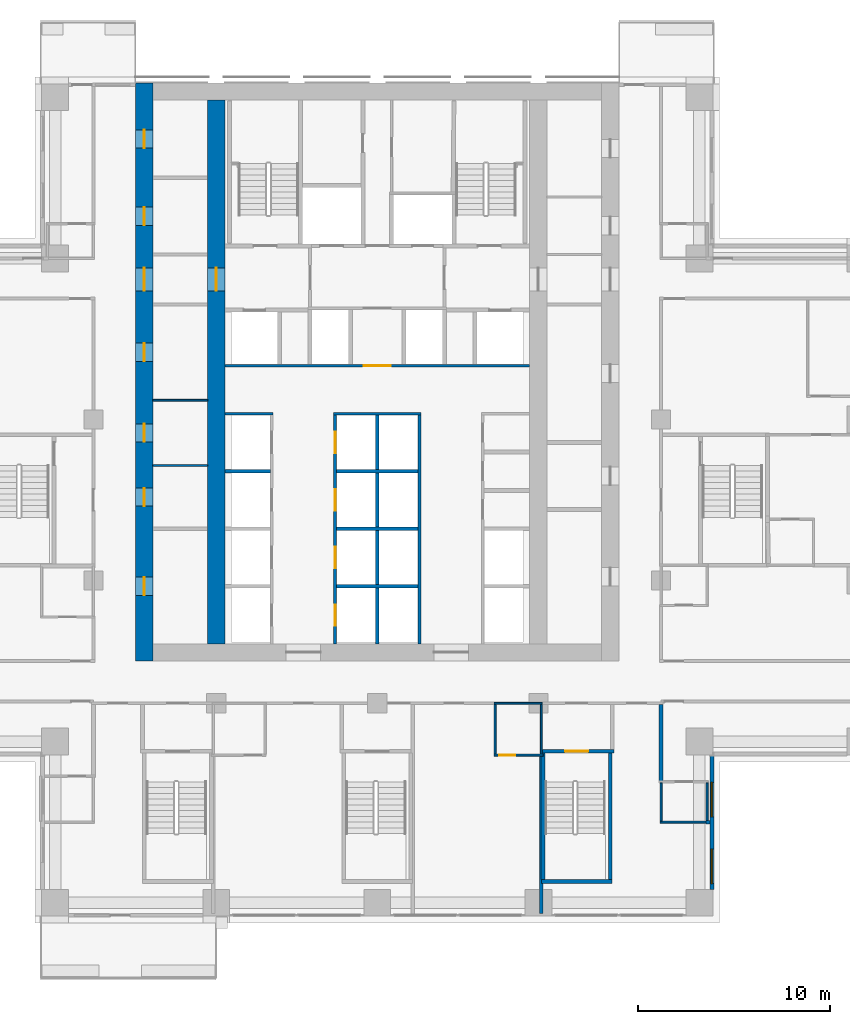
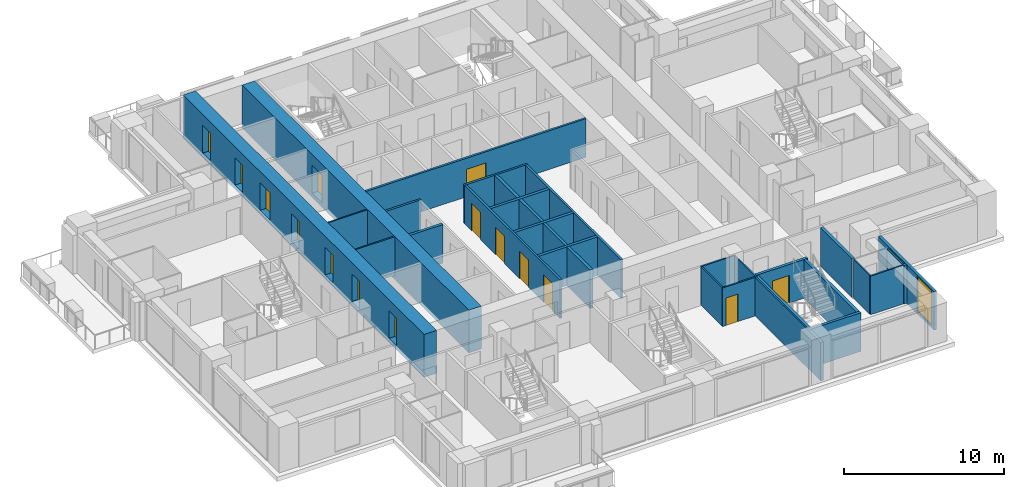
# One storey, part 8 of 16: 29 walls, 15 doors, 2 windows, 17 openings.
"""IFC4 building model written with IfcOpenShell, lengths in metres."""

from ifc_helpers import new_model, si_unit, direction, frame, frame_2d, origin, place, context, subcontext, project, spatial, rectangle, extrude, material, layer, layer_set, type_object, element, fill, save


model = new_model("IFC4")

# Units and contexts
model_context = context("Model", 3, precision=1e-05, world=origin(), true_north=direction((0.0, 1.0)))
body_context = subcontext(model_context, "Body", "Model", "MODEL_VIEW")
ifc_project = project(units=[si_unit("LENGTHUNIT", "METRE"), si_unit("AREAUNIT", "SQUARE_METRE"), si_unit("VOLUMEUNIT", "CUBIC_METRE"), si_unit("PLANEANGLEUNIT", "RADIAN"), si_unit("MASSUNIT", "GRAM", prefix="KILO")], contexts=[model_context])

# Site, building, storey
site_placement = place(None, origin())
site = spatial("IfcSite", under=ifc_project, at=site_placement, CompositionType="ELEMENT")
building_placement = place(site_placement, origin())
building = spatial("IfcBuilding", under=site, at=building_placement, Name="Vermilion Ogive Tower", CompositionType="ELEMENT")
storey_placement = place(building_placement, frame((0.0, 0.0, 72.449951171875)))
storey = spatial("IfcBuildingStorey", under=building, at=storey_placement, Name="L17", CompositionType="ELEMENT", Elevation=72.449951171875)

# Wall, openings, doors
ifc_material_1 = material(Name="Concrete B80", Category="concrete")
ifc_layer_1 = layer(ifc_material_1, 0.89990234375)
ifc_layer_set_1 = layer_set([ifc_layer_1], Name="Core wall 900 B80")
wall_type_1 = type_object("IfcWallType", Name="Core wall 900 B80", PredefinedType="SHEAR", material=ifc_layer_set_1)
wall_1_placement = place(storey_placement, frame((-12.14990234375, -8.39990234375, -0.320068359375), z_axis=(0.0, 0.0, 1.0), x_axis=(0.0, 1.0, 0.0)))
wall_1 = element("IfcWall", 1, at=wall_1_placement, inside=storey, type_object=wall_type_1, Name="L17-CORE-W", PredefinedType="SHEAR", context=body_context, shape_type="SweptSolid", body=[
    extrude(rectangle(XDim=30.14990234375, YDim=0.89990234375, at=frame_2d((15.074951171875, 0.0))), origin(), (0.0, 0.0, 1.0), 3.27001953125),
])
opening_1_placement = place(wall_1_placement, frame((3.425048828125, 0.0, 0.320068359375)))
opening_1 = element("IfcOpeningElement", 2, at=opening_1_placement, cuts=wall_1, Name="Opening DAD028", PredefinedType="OPENING", context=body_context, shape_type="SweptSolid", body=[
    extrude(rectangle(XDim=0.949951171875, YDim=2.10009765625, at=frame_2d((0.47509765625, 1.050048828125))), frame((0.0, 0.4599609375, 0.0), z_axis=(0.0, -1.0, 0.0), x_axis=(1.0, 0.0, 0.0)), (0.0, 0.0, 1.0), 0.919921875),
])
opening_2_placement = place(wall_1_placement, frame((8.074951171875, 0.0, 0.320068359375)))
opening_2 = element("IfcOpeningElement", 3, at=opening_2_placement, cuts=wall_1, Name="Opening DAD029", PredefinedType="OPENING", context=body_context, shape_type="SweptSolid", body=[
    extrude(rectangle(XDim=0.949951171875, YDim=2.10009765625, at=frame_2d((0.47509765625, 1.050048828125))), frame((0.0, 0.4599609375, 0.0), z_axis=(0.0, -1.0, 0.0), x_axis=(1.0, 0.0, 0.0)), (0.0, 0.0, 1.0), 0.919921875),
])
opening_3_placement = place(wall_1_placement, frame((11.425048828125, 0.0, 0.320068359375)))
opening_3 = element("IfcOpeningElement", 4, at=opening_3_placement, cuts=wall_1, Name="Opening DAD030", PredefinedType="OPENING", context=body_context, shape_type="SweptSolid", body=[
    extrude(rectangle(XDim=0.949951171875, YDim=2.10009765625, at=frame_2d((0.47509765625, 1.050048828125))), frame((0.0, 0.4599609375, 0.0), z_axis=(0.0, -1.0, 0.0), x_axis=(1.0, 0.0, 0.0)), (0.0, 0.0, 1.0), 0.919921875),
])
opening_4_placement = place(wall_1_placement, frame((15.625, 0.0, 0.320068359375)))
opening_4 = element("IfcOpeningElement", 5, at=opening_4_placement, cuts=wall_1, Name="Opening DAD031", PredefinedType="OPENING", context=body_context, shape_type="SweptSolid", body=[
    extrude(rectangle(XDim=0.949951171875, YDim=2.10009765625, at=frame_2d((0.47509765625, 1.050048828125))), frame((0.0, 0.4599609375, 0.0), z_axis=(0.0, -1.0, 0.0), x_axis=(1.0, 0.0, 0.0)), (0.0, 0.0, 1.0), 0.919921875),
])
opening_5_placement = place(wall_1_placement, frame((22.72509765625, 0.0, 0.320068359375)))
opening_5 = element("IfcOpeningElement", 6, at=opening_5_placement, cuts=wall_1, Name="Opening DAD032", PredefinedType="OPENING", context=body_context, shape_type="SweptSolid", body=[
    extrude(rectangle(XDim=0.949951171875, YDim=2.10009765625, at=frame_2d((0.47509765625, 1.050048828125))), frame((0.0, 0.4599609375, 0.0), z_axis=(0.0, -1.0, 0.0), x_axis=(1.0, 0.0, 0.0)), (0.0, 0.0, 1.0), 0.919921875),
])
opening_6_placement = place(wall_1_placement, frame((26.75, 0.0, 0.320068359375)))
opening_6 = element("IfcOpeningElement", 7, at=opening_6_placement, cuts=wall_1, Name="Opening DAD033", PredefinedType="OPENING", context=body_context, shape_type="SweptSolid", body=[
    extrude(rectangle(XDim=0.949951171875, YDim=2.10009765625, at=frame_2d((0.47509765625, 1.050048828125))), frame((0.0, 0.4599609375, 0.0), z_axis=(0.0, -1.0, 0.0), x_axis=(1.0, 0.0, 0.0)), (0.0, 0.0, 1.0), 0.919921875),
])
opening_7_placement = place(wall_1_placement, frame((19.300048828125, 0.0, 0.320068359375)))
opening_7 = element("IfcOpeningElement", 8, at=opening_7_placement, cuts=wall_1, Name="Opening DAM006", PredefinedType="OPENING", context=body_context, shape_type="SweptSolid", body=[
    extrude(rectangle(XDim=1.199951171875, YDim=2.10009765625, at=frame_2d((0.60009765625, 1.050048828125))), frame((0.0, 0.4599609375, 0.0), z_axis=(0.0, -1.0, 0.0), x_axis=(1.0, 0.0, 0.0)), (0.0, 0.0, 1.0), 0.919921875),
])
ifc_material_2 = material(Name="Timber door leaf", Category="wood")
door_type_1 = type_object("IfcDoorType", Name="Link door 1200 x 2100 FD60S", OperationType="SINGLE_SWING_LEFT", PredefinedType="DOOR", material=ifc_material_2)
door_1_placement = place(opening_7_placement, origin())
door_1 = element("IfcDoor", 9, at=door_1_placement, inside=storey, type_object=door_type_1, Name="L17-CKW-XL", OperationType="SINGLE_SWING_LEFT", OverallHeight=2.10009765625, OverallWidth=1.199951171875, PredefinedType="DOOR", context=body_context, shape_type="SweptSolid", body=[
    extrude(rectangle(XDim=1.199951171875, YDim=2.10009765625, at=frame_2d((0.60009765625, 1.050048828125))), frame((0.0, 0.02490234375, 0.0), z_axis=(0.0, -1.0, 0.0), x_axis=(1.0, 0.0, 0.0)), (0.0, 0.0, 1.0), 0.050048828125),
])
fill(opening_7, door_1)
ifc_material_3 = material(Name="Timber door leaf", Category="wood")
door_type_2 = type_object("IfcDoorType", Name="Service door 950 x 2100 FD60", OperationType="SINGLE_SWING_LEFT", PredefinedType="DOOR", material=ifc_material_3)
door_2_placement = place(opening_1_placement, origin())
door_2 = element("IfcDoor", 10, at=door_2_placement, inside=storey, type_object=door_type_2, Name="L17-CKW-XR0", OperationType="SINGLE_SWING_LEFT", OverallHeight=2.10009765625, OverallWidth=0.949951171875, PredefinedType="DOOR", context=body_context, shape_type="SweptSolid", body=[
    extrude(rectangle(XDim=0.949951171875, YDim=2.10009765625, at=frame_2d((0.47509765625, 1.050048828125))), frame((0.0, 0.02490234375, 0.0), z_axis=(0.0, -1.0, 0.0), x_axis=(1.0, 0.0, 0.0)), (0.0, 0.0, 1.0), 0.050048828125),
])
fill(opening_1, door_2)
door_3_placement = place(opening_2_placement, origin())
door_3 = element("IfcDoor", 11, at=door_3_placement, inside=storey, type_object=door_type_2, Name="L17-CKW-XR1", OperationType="SINGLE_SWING_LEFT", OverallHeight=2.10009765625, OverallWidth=0.949951171875, PredefinedType="DOOR", context=body_context, shape_type="SweptSolid", body=[
    extrude(rectangle(XDim=0.949951171875, YDim=2.10009765625, at=frame_2d((0.47509765625, 1.050048828125))), frame((0.0, 0.02490234375, 0.0), z_axis=(0.0, -1.0, 0.0), x_axis=(1.0, 0.0, 0.0)), (0.0, 0.0, 1.0), 0.050048828125),
])
fill(opening_2, door_3)
door_4_placement = place(opening_3_placement, origin())
door_4 = element("IfcDoor", 12, at=door_4_placement, inside=storey, type_object=door_type_2, Name="L17-CKW-XR2", OperationType="SINGLE_SWING_LEFT", OverallHeight=2.10009765625, OverallWidth=0.949951171875, PredefinedType="DOOR", context=body_context, shape_type="SweptSolid", body=[
    extrude(rectangle(XDim=0.949951171875, YDim=2.10009765625, at=frame_2d((0.47509765625, 1.050048828125))), frame((0.0, 0.02490234375, 0.0), z_axis=(0.0, -1.0, 0.0), x_axis=(1.0, 0.0, 0.0)), (0.0, 0.0, 1.0), 0.050048828125),
])
fill(opening_3, door_4)
door_5_placement = place(opening_4_placement, origin())
door_5 = element("IfcDoor", 13, at=door_5_placement, inside=storey, type_object=door_type_2, Name="L17-CKW-XR3", OperationType="SINGLE_SWING_LEFT", OverallHeight=2.10009765625, OverallWidth=0.949951171875, PredefinedType="DOOR", context=body_context, shape_type="SweptSolid", body=[
    extrude(rectangle(XDim=0.949951171875, YDim=2.10009765625, at=frame_2d((0.47509765625, 1.050048828125))), frame((0.0, 0.02490234375, 0.0), z_axis=(0.0, -1.0, 0.0), x_axis=(1.0, 0.0, 0.0)), (0.0, 0.0, 1.0), 0.050048828125),
])
fill(opening_4, door_5)
door_6_placement = place(opening_5_placement, origin())
door_6 = element("IfcDoor", 14, at=door_6_placement, inside=storey, type_object=door_type_2, Name="L17-CKW-XR4", OperationType="SINGLE_SWING_LEFT", OverallHeight=2.10009765625, OverallWidth=0.949951171875, PredefinedType="DOOR", context=body_context, shape_type="SweptSolid", body=[
    extrude(rectangle(XDim=0.949951171875, YDim=2.10009765625, at=frame_2d((0.47509765625, 1.050048828125))), frame((0.0, 0.02490234375, 0.0), z_axis=(0.0, -1.0, 0.0), x_axis=(1.0, 0.0, 0.0)), (0.0, 0.0, 1.0), 0.050048828125),
])
fill(opening_5, door_6)
door_7_placement = place(opening_6_placement, origin())
door_7 = element("IfcDoor", 15, at=door_7_placement, inside=storey, type_object=door_type_2, Name="L17-CKW-XR5", OperationType="SINGLE_SWING_LEFT", OverallHeight=2.10009765625, OverallWidth=0.949951171875, PredefinedType="DOOR", context=body_context, shape_type="SweptSolid", body=[
    extrude(rectangle(XDim=0.949951171875, YDim=2.10009765625, at=frame_2d((0.47509765625, 1.050048828125))), frame((0.0, 0.02490234375, 0.0), z_axis=(0.0, -1.0, 0.0), x_axis=(1.0, 0.0, 0.0)), (0.0, 0.0, 1.0), 0.050048828125),
])
fill(opening_6, door_7)

# Wall, opening, door
wall_2_placement = place(storey_placement, frame((-8.39990234375, -7.5, -0.320068359375), z_axis=(0.0, 0.0, 1.0), x_axis=(0.0, 1.0, 0.0)))
wall_2 = element("IfcWall", 16, at=wall_2_placement, inside=storey, type_object=wall_type_1, Name="L17-CORE-WEB1", PredefinedType="SHEAR", context=body_context, shape_type="SweptSolid", body=[
    extrude(rectangle(XDim=28.35009765625, YDim=0.89990234375, at=frame_2d((14.175048828125, 0.0))), origin(), (0.0, 0.0, 1.0), 3.27001953125),
])
opening_8_placement = place(wall_2_placement, frame((18.39990234375, 0.0, 0.320068359375)))
opening_8 = element("IfcOpeningElement", 17, at=opening_8_placement, cuts=wall_2, Name="Opening DAP006", PredefinedType="OPENING", context=body_context, shape_type="SweptSolid", body=[
    extrude(rectangle(XDim=1.199951171875, YDim=2.10009765625, at=frame_2d((0.60009765625, 1.050048828125))), frame((0.0, 0.4599609375, 0.0), z_axis=(0.0, -1.0, 0.0), x_axis=(1.0, 0.0, 0.0)), (0.0, 0.0, 1.0), 0.919921875),
])
door_8_placement = place(opening_8_placement, origin())
door_8 = element("IfcDoor", 18, at=door_8_placement, inside=storey, type_object=door_type_1, Name="L17-CKW-XW", OperationType="SINGLE_SWING_LEFT", OverallHeight=2.10009765625, OverallWidth=1.199951171875, PredefinedType="DOOR", context=body_context, shape_type="SweptSolid", body=[
    extrude(rectangle(XDim=1.199951171875, YDim=2.10009765625, at=frame_2d((0.60009765625, 1.050048828125))), frame((0.0, 0.02490234375, 0.0), z_axis=(0.0, -1.0, 0.0), x_axis=(1.0, 0.0, 0.0)), (0.0, 0.0, 1.0), 0.050048828125),
])
fill(opening_8, door_8)

# Wall
ifc_material_4 = material(Name="Gypsum board partition on steel studs", Category="steel")
ifc_layer_2 = layer(ifc_material_4, 0.10009765625)
ifc_layer_set_2 = layer_set([ifc_layer_2], Name="Partition 100 bath")
wall_type_2 = type_object("IfcWallType", Name="Partition 100 bath", PredefinedType="PARTITIONING", material=ifc_layer_set_2)
wall_3_placement = place(storey_placement, frame((14.751953125, -16.800048828125, 0.0), z_axis=(0.0, 0.0, 1.0), x_axis=(1.0, 0.0, 0.0)))
element("IfcWall", 19, at=wall_3_placement, inside=storey, type_object=wall_type_2, Name="L17-W-W005", PredefinedType="PARTITIONING", context=body_context, shape_type="SweptSolid", body=[
    extrude(rectangle(XDim=2.498046875, YDim=0.10009765625, at=frame_2d((1.2490234375, 0.0))), origin(), (0.0, 0.0, 1.0), 2.949951171875),
])

# Wall, opening, door
wall_4_placement = place(storey_placement, frame((6.10009765625, -13.300048828125, 0.0), z_axis=(0.0, 0.0, 1.0), x_axis=(1.0, 0.0, 0.0)))
wall_4 = element("IfcWall", 20, at=wall_4_placement, inside=storey, type_object=wall_type_2, Name="L17-W-W010", PredefinedType="PARTITIONING", context=body_context, shape_type="SweptSolid", body=[
    extrude(rectangle(XDim=2.5498046875, YDim=0.10009765625, at=frame_2d((1.27490234375, 0.0))), origin(), (0.0, 0.0, 1.0), 2.949951171875),
])
opening_9_placement = place(wall_4_placement, frame((0.25, 0.0, 0.0)))
opening_9 = element("IfcOpeningElement", 21, at=opening_9_placement, cuts=wall_4, Name="Opening D1G6014", PredefinedType="OPENING", context=body_context, shape_type="SweptSolid", body=[
    extrude(rectangle(XDim=0.85009765625, YDim=2.10009765625, at=frame_2d((0.425048828125, 1.050048828125))), frame((0.0, 0.06005859375, 0.0), z_axis=(0.0, -1.0, 0.0), x_axis=(1.0, 0.0, 0.0)), (0.0, 0.0, 1.0), 0.1201171875),
])
ifc_material_5 = material(Name="Timber door leaf", Category="wood")
door_type_3 = type_object("IfcDoorType", Name="Bath door 850 x 2100 FD30", OperationType="SINGLE_SWING_LEFT", PredefinedType="DOOR", material=ifc_material_5)
door_9_placement = place(opening_9_placement, origin())
door_9 = element("IfcDoor", 22, at=door_9_placement, inside=storey, type_object=door_type_3, Name="L17-D-D014", OperationType="SINGLE_SWING_LEFT", OverallHeight=2.10009765625, OverallWidth=0.85009765625, PredefinedType="DOOR", context=body_context, shape_type="SweptSolid", body=[
    extrude(rectangle(XDim=0.85009765625, YDim=2.10009765625, at=frame_2d((0.425048828125, 1.050048828125))), frame((0.0, 0.02490234375, 0.0), z_axis=(0.0, -1.0, 0.0), x_axis=(1.0, 0.0, 0.0)), (0.0, 0.0, 1.0), 0.050048828125),
])
fill(opening_9, door_9)

# Walls
wall_5_placement = place(storey_placement, frame((6.10009765625, -10.60009765625, 0.0), z_axis=(0.0, 0.0, 1.0), x_axis=(1.0, 0.0, 0.0)))
element("IfcWall", 23, at=wall_5_placement, inside=storey, type_object=wall_type_2, Name="L17-W-W017", PredefinedType="PARTITIONING", context=body_context, shape_type="SweptSolid", body=[
    extrude(rectangle(XDim=2.5, YDim=0.10009765625, at=frame_2d((1.25, 0.0))), origin(), (0.0, 0.0, 1.0), 2.949951171875),
])
for number, where, z_axis, x_axis, name in (
    (24, (6.14990234375, -13.25, 0.0), (0.0, 0.0, 1.0), (0.0, 1.0, 0.0), "L17-W-W075"),
    (25, (8.550048828125, -13.25, 0.0), (0.0, 0.0, 1.0), (0.0, 1.0, 0.0), "L17-W-W077"),
):
    element("IfcWall", number, at=place(storey_placement, frame(where, z_axis=z_axis, x_axis=x_axis)), inside=storey, type_object=wall_type_2, Name=name, PredefinedType="PARTITIONING", context=body_context, shape_type="SweptSolid", body=[
        extrude(rectangle(XDim=2.574951171875, YDim=0.10009765625, at=frame_2d((1.28759765625, 0.0))), origin(), (0.0, 0.0, 1.0), 2.949951171875),
    ])
wall_6_placement = place(storey_placement, frame((14.800048828125, -16.748046875, 0.0), z_axis=(0.0, 0.0, 1.0), x_axis=(0.0, 1.0, 0.0)))
element("IfcWall", 26, at=wall_6_placement, inside=storey, type_object=wall_type_2, Name="L17-W-W081", PredefinedType="PARTITIONING", context=body_context, shape_type="SweptSolid", body=[
    extrude(rectangle(XDim=1.998046875, YDim=0.10009765625, at=frame_2d((0.9990234375, 0.0))), origin(), (0.0, 0.0, 1.0), 2.949951171875),
])
wall_7_placement = place(storey_placement, frame((17.199951171875, -16.699951171875, 0.0), z_axis=(0.0, 0.0, 1.0), x_axis=(0.0, 1.0, 0.0)))
element("IfcWall", 27, at=wall_7_placement, inside=storey, type_object=wall_type_2, Name="L17-W-W089", PredefinedType="PARTITIONING", context=body_context, shape_type="SweptSolid", body=[
    extrude(rectangle(XDim=1.949951171875, YDim=0.10009765625, at=frame_2d((0.97509765625, 0.0))), origin(), (0.0, 0.0, 1.0), 2.949951171875),
])
for number, where, z_axis, x_axis, name in (
    (28, (-11.698974609375, 1.800048828125, 0.0), (0.0, 0.0, 1.0), (1.0, 0.0, 0.0), "L17-CKW-W-W002"),
    (29, (-11.698974609375, 5.199951171875, 0.0), (0.0, 0.0, 1.0), (1.0, 0.0, 0.0), "L17-CKW-W-W003"),
):
    element("IfcWall", number, at=place(storey_placement, frame(where, z_axis=z_axis, x_axis=x_axis)), inside=storey, type_object=wall_type_2, Name=name, PredefinedType="PARTITIONING", context=body_context, shape_type="SweptSolid", body=[
        extrude(rectangle(XDim=2.847900390625, YDim=0.10009765625, at=frame_2d((1.423828125, 0.0))), origin(), (0.0, 0.0, 1.0), 2.949951171875),
    ])
ifc_material_6 = material(Name="Gypsum board partition on steel studs", Category="steel")
ifc_layer_3 = layer(ifc_material_6, 0.14990234375)
ifc_layer_set_3 = layer_set([ifc_layer_3], Name="Partition 150 corridor")
wall_type_3 = type_object("IfcWallType", Name="Partition 150 corridor", PredefinedType="PARTITIONING", material=ifc_layer_set_3)
wall_8_placement = place(storey_placement, frame((-7.948974609375, 4.5, 0.0), z_axis=(0.0, 0.0, 1.0), x_axis=(1.0, 0.0, 0.0)))
element("IfcWall", 30, at=wall_8_placement, inside=storey, type_object=wall_type_3, Name="L17-CK-W-W011", PredefinedType="PARTITIONING", context=body_context, shape_type="SweptSolid", body=[
    extrude(rectangle(XDim=2.52392578125, YDim=0.14990234375, at=frame_2d((1.261962890625, 0.0))), origin(), (0.0, 0.0, 1.0), 2.949951171875),
])
wall_9_placement = place(storey_placement, frame((-2.27490234375, 4.5, 0.0), z_axis=(0.0, 0.0, 1.0), x_axis=(1.0, 0.0, 0.0)))
element("IfcWall", 31, at=wall_9_placement, inside=storey, type_object=wall_type_3, Name="L17-CK-W-W012", PredefinedType="PARTITIONING", context=body_context, shape_type="SweptSolid", body=[
    extrude(rectangle(XDim=4.5498046875, YDim=0.14990234375, at=frame_2d((2.27490234375, 0.0))), origin(), (0.0, 0.0, 1.0), 2.949951171875),
])

# Wall, opening, door
wall_10_placement = place(storey_placement, frame((-7.948974609375, 7.0, 0.0), z_axis=(0.0, 0.0, 1.0), x_axis=(1.0, 0.0, 0.0)))
wall_10 = element("IfcWall", 32, at=wall_10_placement, inside=storey, type_object=wall_type_3, Name="L17-CK-W-W014", PredefinedType="PARTITIONING", context=body_context, shape_type="SweptSolid", body=[
    extrude(rectangle(XDim=15.89794921875, YDim=0.14990234375, at=frame_2d((7.948974609375, 0.0))), origin(), (0.0, 0.0, 1.0), 2.949951171875),
])
opening_10_placement = place(wall_10_placement, frame((7.2490234375, 0.0, 0.0)))
opening_10 = element("IfcOpeningElement", 33, at=opening_10_placement, cuts=wall_10, Name="Opening DAA116", PredefinedType="OPENING", context=body_context, shape_type="SweptSolid", body=[
    extrude(rectangle(XDim=1.39990234375, YDim=2.10009765625, at=frame_2d((0.699951171875, 1.050048828125))), frame((0.0, 0.0849609375, 0.0), z_axis=(0.0, -1.0, 0.0), x_axis=(1.0, 0.0, 0.0)), (0.0, 0.0, 1.0), 0.169921875),
])
ifc_material_7 = material(Name="Timber door leaf", Category="wood")
door_type_4 = type_object("IfcDoorType", Name="Lobby door 1400 x 2100 FD60S", OperationType="SINGLE_SWING_LEFT", PredefinedType="DOOR", material=ifc_material_7)
door_10_placement = place(opening_10_placement, origin())
door_10 = element("IfcDoor", 34, at=door_10_placement, inside=storey, type_object=door_type_4, Name="L17-CK-D-D016", OperationType="SINGLE_SWING_RIGHT", OverallHeight=2.10009765625, OverallWidth=1.39990234375, PredefinedType="DOOR", context=body_context, shape_type="SweptSolid", body=[
    extrude(rectangle(XDim=1.39990234375, YDim=2.10009765625, at=frame_2d((0.699951171875, 1.050048828125))), frame((0.0, 0.02490234375, 0.0), z_axis=(0.0, -1.0, 0.0), x_axis=(1.0, 0.0, 0.0)), (0.0, 0.0, 1.0), 0.050048828125),
])
fill(opening_10, door_10)

# Wall, openings, doors
wall_11_placement = place(storey_placement, frame((-2.199951171875, -7.4990234375, 0.0), z_axis=(0.0, 0.0, 1.0), x_axis=(0.0, 1.0, 0.0)))
wall_11 = element("IfcWall", 35, at=wall_11_placement, inside=storey, type_object=wall_type_3, Name="L17-CK-W-W028", PredefinedType="PARTITIONING", context=body_context, shape_type="SweptSolid", body=[
    extrude(rectangle(XDim=11.924072265625, YDim=0.14990234375, at=frame_2d((5.9619140625, 0.0))), origin(), (0.0, 0.0, 1.0), 2.949951171875),
])
opening_11_placement = place(wall_11_placement, frame((0.948974609375, 0.0, 0.0)))
opening_11 = element("IfcOpeningElement", 36, at=opening_11_placement, cuts=wall_11, Name="Opening DAA132", PredefinedType="OPENING", context=body_context, shape_type="SweptSolid", body=[
    extrude(rectangle(XDim=1.10009765625, YDim=2.10009765625, at=frame_2d((0.550048828125, 1.050048828125))), frame((0.0, 0.0849609375, 0.0), z_axis=(0.0, -1.0, 0.0), x_axis=(1.0, 0.0, 0.0)), (0.0, 0.0, 1.0), 0.169921875),
])
opening_12_placement = place(wall_11_placement, frame((3.948974609375, 0.0, 0.0)))
opening_12 = element("IfcOpeningElement", 37, at=opening_12_placement, cuts=wall_11, Name="Opening DAA133", PredefinedType="OPENING", context=body_context, shape_type="SweptSolid", body=[
    extrude(rectangle(XDim=1.10009765625, YDim=2.10009765625, at=frame_2d((0.550048828125, 1.050048828125))), frame((0.0, 0.0849609375, 0.0), z_axis=(0.0, -1.0, 0.0), x_axis=(1.0, 0.0, 0.0)), (0.0, 0.0, 1.0), 0.169921875),
])
opening_13_placement = place(wall_11_placement, frame((6.948974609375, 0.0, 0.0)))
opening_13 = element("IfcOpeningElement", 38, at=opening_13_placement, cuts=wall_11, Name="Opening DAA134", PredefinedType="OPENING", context=body_context, shape_type="SweptSolid", body=[
    extrude(rectangle(XDim=1.10009765625, YDim=2.10009765625, at=frame_2d((0.550048828125, 1.050048828125))), frame((0.0, 0.0849609375, 0.0), z_axis=(0.0, -1.0, 0.0), x_axis=(1.0, 0.0, 0.0)), (0.0, 0.0, 1.0), 0.169921875),
])
opening_14_placement = place(wall_11_placement, frame((9.948974609375, 0.0, 0.0)))
opening_14 = element("IfcOpeningElement", 39, at=opening_14_placement, cuts=wall_11, Name="Opening DAA135", PredefinedType="OPENING", context=body_context, shape_type="SweptSolid", body=[
    extrude(rectangle(XDim=1.10009765625, YDim=2.10009765625, at=frame_2d((0.550048828125, 1.050048828125))), frame((0.0, 0.0849609375, 0.0), z_axis=(0.0, -1.0, 0.0), x_axis=(1.0, 0.0, 0.0)), (0.0, 0.0, 1.0), 0.169921875),
])
ifc_material_8 = material(Name="Stainless steel", Category="steel")
door_type_5 = type_object("IfcDoorType", Name="Lift landing door 1100 x 2100", OperationType="SLIDING_TO_LEFT", PredefinedType="DOOR", material=ifc_material_8)
door_11_placement = place(opening_11_placement, origin())
door_11 = element("IfcDoor", 40, at=door_11_placement, inside=storey, type_object=door_type_5, Name="L17-CK-D-D005", OperationType="SLIDING_TO_RIGHT", OverallHeight=2.10009765625, OverallWidth=1.10009765625, PredefinedType="DOOR", context=body_context, shape_type="SweptSolid", body=[
    extrude(rectangle(XDim=1.10009765625, YDim=2.10009765625, at=frame_2d((0.550048828125, 1.050048828125))), frame((0.0, 0.02490234375, 0.0), z_axis=(0.0, -1.0, 0.0), x_axis=(1.0, 0.0, 0.0)), (0.0, 0.0, 1.0), 0.050048828125),
])
fill(opening_11, door_11)
door_12_placement = place(opening_12_placement, origin())
door_12 = element("IfcDoor", 41, at=door_12_placement, inside=storey, type_object=door_type_5, Name="L17-CK-D-D006", OperationType="SLIDING_TO_RIGHT", OverallHeight=2.10009765625, OverallWidth=1.10009765625, PredefinedType="DOOR", context=body_context, shape_type="SweptSolid", body=[
    extrude(rectangle(XDim=1.10009765625, YDim=2.10009765625, at=frame_2d((0.550048828125, 1.050048828125))), frame((0.0, 0.02490234375, 0.0), z_axis=(0.0, -1.0, 0.0), x_axis=(1.0, 0.0, 0.0)), (0.0, 0.0, 1.0), 0.050048828125),
])
fill(opening_12, door_12)
door_13_placement = place(opening_13_placement, origin())
door_13 = element("IfcDoor", 42, at=door_13_placement, inside=storey, type_object=door_type_5, Name="L17-CK-D-D007", OperationType="SLIDING_TO_RIGHT", OverallHeight=2.10009765625, OverallWidth=1.10009765625, PredefinedType="DOOR", context=body_context, shape_type="SweptSolid", body=[
    extrude(rectangle(XDim=1.10009765625, YDim=2.10009765625, at=frame_2d((0.550048828125, 1.050048828125))), frame((0.0, 0.02490234375, 0.0), z_axis=(0.0, -1.0, 0.0), x_axis=(1.0, 0.0, 0.0)), (0.0, 0.0, 1.0), 0.050048828125),
])
fill(opening_13, door_13)
door_14_placement = place(opening_14_placement, origin())
door_14 = element("IfcDoor", 43, at=door_14_placement, inside=storey, type_object=door_type_5, Name="L17-CK-D-D008", OperationType="SLIDING_TO_RIGHT", OverallHeight=2.10009765625, OverallWidth=1.10009765625, PredefinedType="DOOR", context=body_context, shape_type="SweptSolid", body=[
    extrude(rectangle(XDim=1.10009765625, YDim=2.10009765625, at=frame_2d((0.550048828125, 1.050048828125))), frame((0.0, 0.02490234375, 0.0), z_axis=(0.0, -1.0, 0.0), x_axis=(1.0, 0.0, 0.0)), (0.0, 0.0, 1.0), 0.050048828125),
])
fill(opening_14, door_14)

# Walls
wall_12_placement = place(storey_placement, frame((2.199951171875, -7.4990234375, 0.0), z_axis=(0.0, 0.0, 1.0), x_axis=(0.0, 1.0, 0.0)))
element("IfcWall", 44, at=wall_12_placement, inside=storey, type_object=wall_type_3, Name="L17-CK-W-W035", PredefinedType="PARTITIONING", context=body_context, shape_type="SweptSolid", body=[
    extrude(rectangle(XDim=11.924072265625, YDim=0.14990234375, at=frame_2d((5.9619140625, 0.0))), origin(), (0.0, 0.0, 1.0), 2.949951171875),
])
ifc_material_9 = material(Name="Gypsum board partition on steel studs", Category="steel")
ifc_layer_4 = layer(ifc_material_9, 0.199951171875)
ifc_layer_set_4 = layer_set([ifc_layer_4], Name="Partition 200 party")
wall_type_4 = type_object("IfcWallType", Name="Partition 200 party", PredefinedType="PARTITIONING", material=ifc_layer_set_4)
wall_13_placement = place(storey_placement, frame((17.14990234375, -16.800048828125, 0.0), z_axis=(0.0, 0.0, 1.0), x_axis=(1.0, 0.0, 0.0)))
element("IfcWall", 45, at=wall_13_placement, inside=storey, type_object=wall_type_4, Name="L17-W-W006", PredefinedType="PARTITIONING", context=body_context, shape_type="SweptSolid", body=[
    extrude(rectangle(XDim=0.2001953125, YDim=0.199951171875, at=frame_2d((0.10009765625, 0.0))), origin(), (0.0, 0.0, 1.0), 2.949951171875),
])
wall_14_placement = place(storey_placement, frame((14.800048828125, -14.64990234375, 0.0), z_axis=(0.0, 0.0, 1.0), x_axis=(0.0, 1.0, 0.0)))
element("IfcWall", 46, at=wall_14_placement, inside=storey, type_object=wall_type_4, Name="L17-W-W082", PredefinedType="PARTITIONING", context=body_context, shape_type="SweptSolid", body=[
    extrude(rectangle(XDim=3.974853515625, YDim=0.199951171875, at=frame_2d((1.9873046875, 0.0))), origin(), (0.0, 0.0, 1.0), 2.949951171875),
])
for number, where, z_axis, x_axis, name in (
    (47, (-2.125, -4.5, 0.0), (0.0, 0.0, 1.0), (1.0, 0.0, 0.0), "L17-CK-W-W002"),
    (48, (-2.125, -1.5, 0.0), (0.0, 0.0, 1.0), (1.0, 0.0, 0.0), "L17-CK-W-W005"),
):
    element("IfcWall", number, at=place(storey_placement, frame(where, z_axis=z_axis, x_axis=x_axis)), inside=storey, type_object=wall_type_4, Name=name, PredefinedType="PARTITIONING", context=body_context, shape_type="SweptSolid", body=[
        extrude(rectangle(XDim=4.25, YDim=0.199951171875, at=frame_2d((2.125, 0.0))), origin(), (0.0, 0.0, 1.0), 2.949951171875),
    ])
wall_15_placement = place(storey_placement, frame((-7.948974609375, 1.5, 0.0), z_axis=(0.0, 0.0, 1.0), x_axis=(1.0, 0.0, 0.0)))
element("IfcWall", 49, at=wall_15_placement, inside=storey, type_object=wall_type_4, Name="L17-CK-W-W008", PredefinedType="PARTITIONING", context=body_context, shape_type="SweptSolid", body=[
    extrude(rectangle(XDim=2.3740234375, YDim=0.199951171875, at=frame_2d((1.18701171875, 0.0))), origin(), (0.0, 0.0, 1.0), 2.949951171875),
])
wall_16_placement = place(storey_placement, frame((-2.125, 1.5, 0.0), z_axis=(0.0, 0.0, 1.0), x_axis=(1.0, 0.0, 0.0)))
element("IfcWall", 50, at=wall_16_placement, inside=storey, type_object=wall_type_4, Name="L17-CK-W-W009", PredefinedType="PARTITIONING", context=body_context, shape_type="SweptSolid", body=[
    extrude(rectangle(XDim=4.25, YDim=0.199951171875, at=frame_2d((2.125, 0.0))), origin(), (0.0, 0.0, 1.0), 2.949951171875),
])
wall_17_placement = place(storey_placement, frame((0.0, -7.4990234375, 0.0), z_axis=(0.0, 0.0, 1.0), x_axis=(0.0, 1.0, 0.0)))
element("IfcWall", 51, at=wall_17_placement, inside=storey, type_object=wall_type_4, Name="L17-CK-W-W031", PredefinedType="PARTITIONING", context=body_context, shape_type="SweptSolid", body=[
    extrude(rectangle(XDim=11.924072265625, YDim=0.199951171875, at=frame_2d((5.9619140625, 0.0))), origin(), (0.0, 0.0, 1.0), 2.949951171875),
])
ifc_material_10 = material(Name="Concrete B60", Category="concrete")
ifc_layer_5 = layer(ifc_material_10, 0.199951171875)
ifc_layer_set_5 = layer_set([ifc_layer_5], Name="Stair shaft wall 200 Concrete B60")
wall_type_5 = type_object("IfcWallType", Name="Stair shaft wall 200 Concrete B60", PredefinedType="SOLIDWALL", material=ifc_layer_set_5)
wall_18_placement = place(storey_placement, frame((8.552001953125, -19.89990234375, 0.0), z_axis=(0.0, 0.0, 1.0), x_axis=(1.0, 0.0, 0.0)))
element("IfcWall", 52, at=wall_18_placement, inside=storey, type_object=wall_type_5, Name="L17-W-W003", PredefinedType="SOLIDWALL", context=body_context, shape_type="SweptSolid", body=[
    extrude(rectangle(XDim=3.696044921875, YDim=0.199951171875, at=frame_2d((1.84814453125, 0.0))), origin(), (0.0, 0.0, 1.0), 2.949951171875),
])

# Wall, opening, door
wall_19_placement = place(storey_placement, frame((8.60205078125, -13.10009765625, 0.0), z_axis=(0.0, 0.0, 1.0), x_axis=(1.0, 0.0, 0.0)))
wall_19 = element("IfcWall", 53, at=wall_19_placement, inside=storey, type_object=wall_type_5, Name="L17-W-W013", PredefinedType="SOLIDWALL", context=body_context, shape_type="SweptSolid", body=[
    extrude(rectangle(XDim=3.745849609375, YDim=0.199951171875, at=frame_2d((1.873046875, 0.0))), origin(), (0.0, 0.0, 1.0), 2.949951171875),
])
opening_15_placement = place(wall_19_placement, frame((1.197998046875, 0.0, 0.0)))
opening_15 = element("IfcOpeningElement", 54, at=opening_15_placement, cuts=wall_19, Name="Opening D1G6030", PredefinedType="OPENING", context=body_context, shape_type="SweptSolid", body=[
    extrude(rectangle(XDim=1.199951171875, YDim=2.10009765625, at=frame_2d((0.60009765625, 1.050048828125))), frame((0.0, 0.10986328125, 0.0), z_axis=(0.0, -1.0, 0.0), x_axis=(1.0, 0.0, 0.0)), (0.0, 0.0, 1.0), 0.219970703125),
])
ifc_material_11 = material(Name="Timber door leaf", Category="wood")
door_type_6 = type_object("IfcDoorType", Name="Stair door 1200 x 2100 FD60S", OperationType="SINGLE_SWING_LEFT", PredefinedType="DOOR", material=ifc_material_11)
door_15_placement = place(opening_15_placement, origin())
door_15 = element("IfcDoor", 55, at=door_15_placement, inside=storey, type_object=door_type_6, Name="L17-D-D030", OperationType="SINGLE_SWING_RIGHT", OverallHeight=2.10009765625, OverallWidth=1.199951171875, PredefinedType="DOOR", context=body_context, shape_type="SweptSolid", body=[
    extrude(rectangle(XDim=1.199951171875, YDim=2.10009765625, at=frame_2d((0.60009765625, 1.050048828125))), frame((0.0, 0.02490234375, 0.0), z_axis=(0.0, -1.0, 0.0), x_axis=(1.0, 0.0, 0.0)), (0.0, 0.0, 1.0), 0.050048828125),
])
fill(opening_15, door_15)

# Walls
wall_20_placement = place(storey_placement, frame((8.550048828125, -21.550048828125, 0.0), z_axis=(0.0, 0.0, 1.0), x_axis=(0.0, 1.0, 0.0)))
element("IfcWall", 56, at=wall_20_placement, inside=storey, type_object=wall_type_5, Name="L17-W-W076", PredefinedType="SOLIDWALL", context=body_context, shape_type="SweptSolid", body=[
    extrude(rectangle(XDim=8.199951171875, YDim=0.199951171875, at=frame_2d((4.10009765625, 0.0))), origin(), (0.0, 0.0, 1.0), 2.949951171875),
])
for number, where, z_axis, x_axis, name in (
    (57, (8.64990234375, -19.798095703125, 0.0), (0.0, 0.0, 1.0), (0.0, 1.0, 0.0), "L17-W-W078"),
    (58, (12.14990234375, -19.798095703125, 0.0), (0.0, 0.0, 1.0), (0.0, 1.0, 0.0), "L17-W-W079"),
):
    element("IfcWall", number, at=place(storey_placement, frame(where, z_axis=z_axis, x_axis=x_axis)), inside=storey, type_object=wall_type_5, Name=name, PredefinedType="SOLIDWALL", context=body_context, shape_type="SweptSolid", body=[
        extrude(rectangle(XDim=6.59619140625, YDim=0.199951171875, at=frame_2d((3.298095703125, 0.0))), origin(), (0.0, 0.0, 1.0), 2.949951171875),
    ])

# Wall, openings, windows
ifc_material_12 = material(Name="Aluminium window wall framing", Category="aluminium")
ifc_layer_6 = layer(ifc_material_12, 0.199951171875)
ifc_layer_set_6 = layer_set([ifc_layer_6], Name="Window wall")
wall_type_6 = type_object("IfcWallType", Name="Window wall", PredefinedType="STANDARD", material=ifc_layer_set_6)
wall_21_placement = place(storey_placement, frame((17.449951171875, -20.300048828125, 0.0), z_axis=(0.0, 0.0, 1.0), x_axis=(0.0, 1.0, 0.0)))
wall_21 = element("IfcWall", 59, at=wall_21_placement, inside=storey, type_object=wall_type_6, Name="Window wall X11", PredefinedType="STANDARD", context=body_context, shape_type="SweptSolid", body=[
    extrude(rectangle(XDim=6.949951171875, YDim=0.199951171875, at=frame_2d((3.47509765625, 0.0))), origin(), (0.0, 0.0, 1.0), 2.949951171875),
])
opening_16_placement = place(wall_21_placement, frame((0.300048828125, 0.0, 0.199951171875)))
opening_16 = element("IfcOpeningElement", 60, at=opening_16_placement, cuts=wall_21, Name="Opening W1-X195", PredefinedType="OPENING", context=body_context, shape_type="SweptSolid", body=[
    extrude(rectangle(XDim=1.800048828125, YDim=2.64990234375, at=frame_2d((0.89990234375, 1.324951171875))), frame((0.0, 0.10986328125, 0.0), z_axis=(0.0, -1.0, 0.0), x_axis=(1.0, 0.0, 0.0)), (0.0, 0.0, 1.0), 0.219970703125),
])
opening_17_placement = place(wall_21_placement, frame((3.77490234375, 0.0, 0.199951171875)))
opening_17 = element("IfcOpeningElement", 61, at=opening_17_placement, cuts=wall_21, Name="Opening W1-X196", PredefinedType="OPENING", context=body_context, shape_type="SweptSolid", body=[
    extrude(rectangle(XDim=1.800048828125, YDim=2.64990234375, at=frame_2d((0.89990234375, 1.324951171875))), frame((0.0, 0.10986328125, 0.0), z_axis=(0.0, -1.0, 0.0), x_axis=(1.0, 0.0, 0.0)), (0.0, 0.0, 1.0), 0.219970703125),
])
ifc_material_13 = material(Name="Aluminium framed double glazing", Category="aluminium")
window_type = type_object("IfcWindowType", Name="Guest window W1", PartitioningType="SINGLE_PANEL", PredefinedType="WINDOW", material=ifc_material_13)
window_1_placement = place(opening_16_placement, origin())
window_1 = element("IfcWindow", 62, at=window_1_placement, inside=storey, type_object=window_type, Name="Window X195", OverallHeight=2.64990234375, OverallWidth=1.800048828125, PartitioningType="SINGLE_PANEL", PredefinedType="WINDOW", context=body_context, shape_type="SweptSolid", body=[
    extrude(rectangle(XDim=1.800048828125, YDim=2.64990234375, at=frame_2d((0.89990234375, 1.324951171875))), frame((0.0, 0.030029296875, 0.0), z_axis=(0.0, -1.0, 0.0), x_axis=(1.0, 0.0, 0.0)), (0.0, 0.0, 1.0), 0.06005859375),
])
fill(opening_16, window_1)
window_2_placement = place(opening_17_placement, origin())
window_2 = element("IfcWindow", 63, at=window_2_placement, inside=storey, type_object=window_type, Name="Window X196", OverallHeight=2.64990234375, OverallWidth=1.800048828125, PartitioningType="SINGLE_PANEL", PredefinedType="WINDOW", context=body_context, shape_type="SweptSolid", body=[
    extrude(rectangle(XDim=1.800048828125, YDim=2.64990234375, at=frame_2d((0.89990234375, 1.324951171875))), frame((0.0, 0.030029296875, 0.0), z_axis=(0.0, -1.0, 0.0), x_axis=(1.0, 0.0, 0.0)), (0.0, 0.0, 1.0), 0.06005859375),
])
fill(opening_17, window_2)

save(model, "model.ifc")
